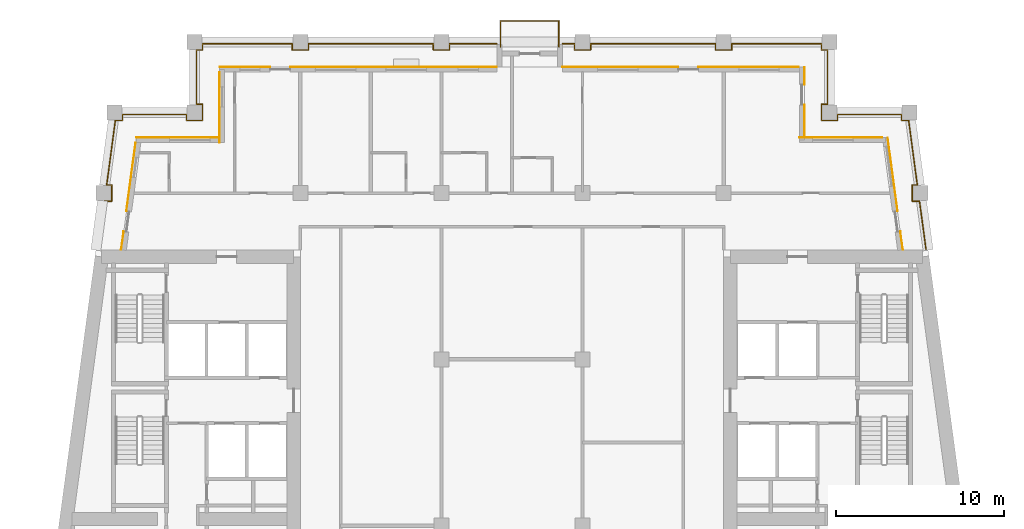
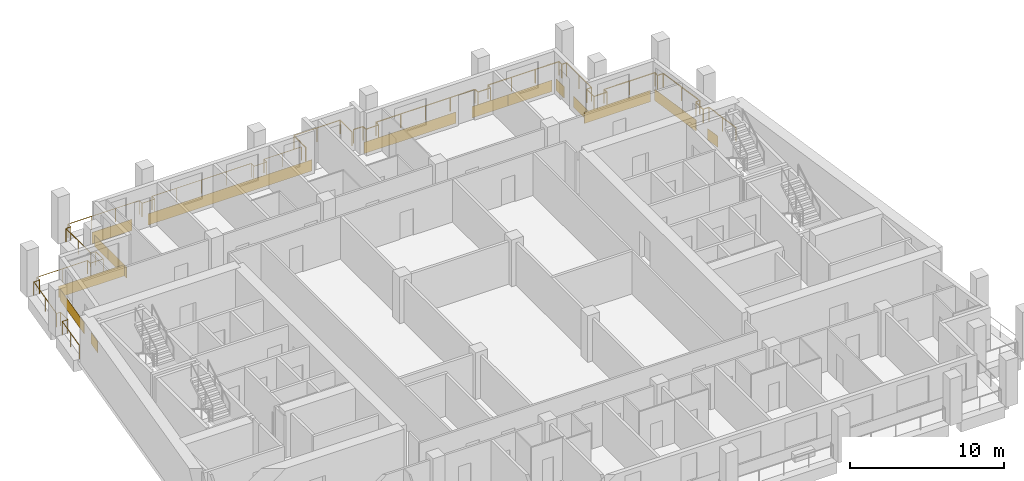
# One storey, part 11 of 12: 15 coverings, 3 railings.
"""IFC4 building model written with IfcOpenShell, lengths in metres."""

from ifc_helpers import new_model, si_unit, direction, frame, origin, origin_2d, place, context, subcontext, project, spatial, rectangle, circle, extrude, material, layer, layer_set, type_object, element, save


model = new_model("IFC4")

# Units and contexts
model_context = context("Model", 3, precision=1e-05, world=origin(), true_north=direction((0.0, 1.0)))
body_context = subcontext(model_context, "Body", "Model", "MODEL_VIEW")
ifc_project = project(units=[si_unit("LENGTHUNIT", "METRE"), si_unit("AREAUNIT", "SQUARE_METRE"), si_unit("VOLUMEUNIT", "CUBIC_METRE"), si_unit("PLANEANGLEUNIT", "RADIAN"), si_unit("MASSUNIT", "GRAM", prefix="KILO")], contexts=[model_context])

# Site, building, storey
site_placement = place(None, origin())
site = spatial("IfcSite", under=ifc_project, at=site_placement, CompositionType="ELEMENT")
building_placement = place(site_placement, origin())
building = spatial("IfcBuilding", under=site, at=building_placement, Name="Candeia Pilgrim Tower and Theatre", CompositionType="ELEMENT")
storey_placement = place(building_placement, frame((0.0, 0.0, 213.300048828125)))
storey = spatial("IfcBuildingStorey", under=building, at=storey_placement, Name="L51", CompositionType="ELEMENT", Elevation=213.300048828125)

# Railings
ifc_material_1 = material(Name="Stainless steel balustrade", Category="steel")
railing_type = type_object("IfcRailingType", Name="G1 loggia guard 1100", PredefinedType="GUARDRAIL", material=ifc_material_1)
railing_1_placement = place(storey_placement, frame((88.758544921875, 132.449951171875, 0.0)))
element("IfcRailing", 1, at=railing_1_placement, inside=storey, type_object=railing_type, Name="Guard L51.2", PredefinedType="GUARDRAIL", context=body_context, shape_type="SweptSolid", body=[
    extrude(circle(Radius=0.02392578125, at=origin_2d()), frame((0.0, 0.0, 1.076171875), z_axis=(0.133450228179, 0.991055516406, 0.0), x_axis=(-0.991055516406, 0.133450228179, 0.0)), (0.0, 0.0, 1.0), 2.89599609375),
    extrude(circle(Radius=0.02392578125, at=origin_2d()), frame((0.386474609375, 2.8701171875, 1.076171875), z_axis=(1.0, 0.0, 0.0), x_axis=(0.0, 1.0, 0.0)), (0.0, 0.0, 1.0), 0.42333984375),
    extrude(circle(Radius=0.02392578125, at=origin_2d()), frame((0.809814453125, 2.8701171875, 1.076171875), z_axis=(0.0, 1.0, 0.0), x_axis=(-1.0, 0.0, 0.0)), (0.0, 0.0, 1.0), 0.9599609375),
    extrude(circle(Radius=0.02392578125, at=origin_2d()), frame((0.809814453125, 3.830078125, 1.076171875), z_axis=(-1.0, 0.0, 0.0), x_axis=(0.0, -1.0, 0.0)), (0.0, 0.0, 1.0), 0.294189453125),
    extrude(circle(Radius=0.02392578125, at=origin_2d()), frame((0.515625, 3.830078125, 1.076171875), z_axis=(0.133389399471, 0.991063705374, 0.0), x_axis=(-0.991063705374, 0.133389399471, 0.0)), (0.0, 0.0, 1.0), 3.874755859375),
    extrude(circle(Radius=0.02392578125, at=origin_2d()), frame((1.032470703125, 7.670166015625, 1.076171875), z_axis=(1.0, 0.0, 0.0), x_axis=(0.0, 1.0, 0.0)), (0.0, 0.0, 1.0), 0.423583984375),
    extrude(circle(Radius=0.02392578125, at=origin_2d()), frame((1.4560546875, 7.670166015625, 1.076171875), z_axis=(0.0, 1.0, 0.0), x_axis=(-1.0, 0.0, 0.0)), (0.0, 0.0, 1.0), 0.35986328125),
    extrude(circle(Radius=0.02392578125, at=origin_2d()), frame((1.4560546875, 8.030029296875, 1.076171875), z_axis=(1.0, 0.0, 0.0), x_axis=(0.0, 1.0, 0.0)), (0.0, 0.0, 1.0), 3.805419921875),
    extrude(circle(Radius=0.02392578125, at=origin_2d()), frame((5.261474609375, 8.030029296875, 1.076171875), z_axis=(0.0, -1.0, 0.0), x_axis=(1.0, 0.0, 0.0)), (0.0, 0.0, 1.0), 0.35986328125),
    extrude(circle(Radius=0.02392578125, at=origin_2d()), frame((5.261474609375, 7.670166015625, 1.076171875), z_axis=(1.0, 0.0, 0.0), x_axis=(0.0, 1.0, 0.0)), (0.0, 0.0, 1.0), 0.9599609375),
    extrude(circle(Radius=0.02392578125, at=origin_2d()), frame((6.221435546875, 7.670166015625, 1.076171875), z_axis=(0.0, 1.0, 0.0), x_axis=(-1.0, 0.0, 0.0)), (0.0, 0.0, 1.0), 0.9599609375),
    extrude(circle(Radius=0.02392578125, at=origin_2d()), frame((6.221435546875, 8.630126953125, 1.076171875), z_axis=(-1.0, 0.0, 0.0), x_axis=(0.0, -1.0, 0.0)), (0.0, 0.0, 1.0), 0.35986328125),
    extrude(circle(Radius=0.02392578125, at=origin_2d()), frame((5.861572265625, 8.630126953125, 1.076171875), z_axis=(0.0, 1.0, 0.0), x_axis=(-1.0, 0.0, 0.0)), (0.0, 0.0, 1.0), 3.239990234375),
    extrude(circle(Radius=0.02392578125, at=origin_2d()), frame((5.861572265625, 11.8701171875, 1.076171875), z_axis=(1.0, 0.0, 0.0), x_axis=(0.0, 1.0, 0.0)), (0.0, 0.0, 1.0), 0.35986328125),
    extrude(circle(Radius=0.02392578125, at=origin_2d()), frame((6.221435546875, 11.8701171875, 1.076171875), z_axis=(0.0, 1.0, 0.0), x_axis=(-1.0, 0.0, 0.0)), (0.0, 0.0, 1.0), 0.35986328125),
    extrude(circle(Radius=0.02392578125, at=origin_2d()), frame((6.221435546875, 12.22998046875, 1.076171875), z_axis=(1.0, 0.0, 0.0), x_axis=(0.0, 1.0, 0.0)), (0.0, 0.0, 1.0), 5.340087890625),
    extrude(circle(Radius=0.02392578125, at=origin_2d()), frame((11.5615234375, 12.22998046875, 1.076171875), z_axis=(0.0, -1.0, 0.0), x_axis=(1.0, 0.0, 0.0)), (0.0, 0.0, 1.0), 0.35986328125),
    extrude(circle(Radius=0.02392578125, at=origin_2d()), frame((11.5615234375, 11.8701171875, 1.076171875), z_axis=(1.0, 0.0, 0.0), x_axis=(0.0, 1.0, 0.0)), (0.0, 0.0, 1.0), 0.9599609375),
    extrude(circle(Radius=0.02392578125, at=origin_2d()), frame((12.521484375, 11.8701171875, 1.076171875), z_axis=(0.0, 1.0, 0.0), x_axis=(-1.0, 0.0, 0.0)), (0.0, 0.0, 1.0), 0.35986328125),
    extrude(circle(Radius=0.02392578125, at=origin_2d()), frame((12.521484375, 12.22998046875, 1.076171875), z_axis=(1.0, 0.0, 0.0), x_axis=(0.0, 1.0, 0.0)), (0.0, 0.0, 1.0), 7.43994140625),
    extrude(circle(Radius=0.02392578125, at=origin_2d()), frame((19.96142578125, 12.22998046875, 1.076171875), z_axis=(0.0, -1.0, 0.0), x_axis=(1.0, 0.0, 0.0)), (0.0, 0.0, 1.0), 0.35986328125),
    extrude(circle(Radius=0.02392578125, at=origin_2d()), frame((19.96142578125, 11.8701171875, 1.076171875), z_axis=(1.0, 0.0, 0.0), x_axis=(0.0, 1.0, 0.0)), (0.0, 0.0, 1.0), 0.9599609375),
    extrude(circle(Radius=0.02392578125, at=origin_2d()), frame((20.92138671875, 11.8701171875, 1.076171875), z_axis=(0.0, 1.0, 0.0), x_axis=(-1.0, 0.0, 0.0)), (0.0, 0.0, 1.0), 0.35986328125),
    extrude(circle(Radius=0.02392578125, at=origin_2d()), frame((20.92138671875, 12.22998046875, 1.076171875), z_axis=(1.0, 0.0, 0.0), x_axis=(0.0, 1.0, 0.0)), (0.0, 0.0, 1.0), 2.820068359375),
    extrude(circle(Radius=0.02099609375, at=origin_2d()), origin(), (0.0, 0.0, 1.0), 1.052001953125),
    extrude(circle(Radius=0.02099609375, at=origin_2d()), frame((0.193359375, 1.43505859375, 0.0)), (0.0, 0.0, 1.0), 1.052001953125),
    extrude(circle(Radius=0.02099609375, at=origin_2d()), frame((0.386474609375, 2.8701171875, 0.0)), (0.0, 0.0, 1.0), 1.052001953125),
    extrude(circle(Radius=0.02099609375, at=origin_2d()), frame((0.809814453125, 2.8701171875, 0.0)), (0.0, 0.0, 1.0), 1.052001953125),
    extrude(circle(Radius=0.02099609375, at=origin_2d()), frame((0.809814453125, 3.830078125, 0.0)), (0.0, 0.0, 1.0), 1.052001953125),
    extrude(circle(Radius=0.02099609375, at=origin_2d()), frame((0.515625, 3.830078125, 0.0)), (0.0, 0.0, 1.0), 1.052001953125),
    extrude(circle(Radius=0.02099609375, at=origin_2d()), frame((0.77392578125, 5.75, 0.0)), (0.0, 0.0, 1.0), 1.052001953125),
    extrude(circle(Radius=0.02099609375, at=origin_2d()), frame((1.032470703125, 7.670166015625, 0.0)), (0.0, 0.0, 1.0), 1.052001953125),
    extrude(circle(Radius=0.02099609375, at=origin_2d()), frame((1.4560546875, 7.670166015625, 0.0)), (0.0, 0.0, 1.0), 1.052001953125),
    extrude(circle(Radius=0.02099609375, at=origin_2d()), frame((1.4560546875, 8.030029296875, 0.0)), (0.0, 0.0, 1.0), 1.052001953125),
    extrude(circle(Radius=0.02099609375, at=origin_2d()), frame((3.35888671875, 8.030029296875, 0.0)), (0.0, 0.0, 1.0), 1.052001953125),
    extrude(circle(Radius=0.02099609375, at=origin_2d()), frame((5.261474609375, 8.030029296875, 0.0)), (0.0, 0.0, 1.0), 1.052001953125),
    extrude(circle(Radius=0.02099609375, at=origin_2d()), frame((5.261474609375, 7.670166015625, 0.0)), (0.0, 0.0, 1.0), 1.052001953125),
    extrude(circle(Radius=0.02099609375, at=origin_2d()), frame((6.221435546875, 7.670166015625, 0.0)), (0.0, 0.0, 1.0), 1.052001953125),
    extrude(circle(Radius=0.02099609375, at=origin_2d()), frame((6.221435546875, 8.630126953125, 0.0)), (0.0, 0.0, 1.0), 1.052001953125),
    extrude(circle(Radius=0.02099609375, at=origin_2d()), frame((5.861572265625, 8.630126953125, 0.0)), (0.0, 0.0, 1.0), 1.052001953125),
    extrude(circle(Radius=0.02099609375, at=origin_2d()), frame((5.861572265625, 10.25, 0.0)), (0.0, 0.0, 1.0), 1.052001953125),
    extrude(circle(Radius=0.02099609375, at=origin_2d()), frame((5.861572265625, 11.8701171875, 0.0)), (0.0, 0.0, 1.0), 1.052001953125),
    extrude(circle(Radius=0.02099609375, at=origin_2d()), frame((6.221435546875, 11.8701171875, 0.0)), (0.0, 0.0, 1.0), 1.052001953125),
    extrude(circle(Radius=0.02099609375, at=origin_2d()), frame((6.221435546875, 12.22998046875, 0.0)), (0.0, 0.0, 1.0), 1.052001953125),
    extrude(circle(Radius=0.02099609375, at=origin_2d()), frame((8.00146484375, 12.22998046875, 0.0)), (0.0, 0.0, 1.0), 1.052001953125),
    extrude(circle(Radius=0.02099609375, at=origin_2d()), frame((9.781494140625, 12.22998046875, 0.0)), (0.0, 0.0, 1.0), 1.052001953125),
    extrude(circle(Radius=0.02099609375, at=origin_2d()), frame((11.5615234375, 12.22998046875, 0.0)), (0.0, 0.0, 1.0), 1.052001953125),
    extrude(circle(Radius=0.02099609375, at=origin_2d()), frame((11.5615234375, 11.8701171875, 0.0)), (0.0, 0.0, 1.0), 1.052001953125),
    extrude(circle(Radius=0.02099609375, at=origin_2d()), frame((12.521484375, 11.8701171875, 0.0)), (0.0, 0.0, 1.0), 1.052001953125),
    extrude(circle(Radius=0.02099609375, at=origin_2d()), frame((12.521484375, 12.22998046875, 0.0)), (0.0, 0.0, 1.0), 1.052001953125),
    extrude(circle(Radius=0.02099609375, at=origin_2d()), frame((14.38134765625, 12.22998046875, 0.0)), (0.0, 0.0, 1.0), 1.052001953125),
    extrude(circle(Radius=0.02099609375, at=origin_2d()), frame((16.241455078125, 12.22998046875, 0.0)), (0.0, 0.0, 1.0), 1.052001953125),
    extrude(circle(Radius=0.02099609375, at=origin_2d()), frame((18.1015625, 12.22998046875, 0.0)), (0.0, 0.0, 1.0), 1.052001953125),
    extrude(circle(Radius=0.02099609375, at=origin_2d()), frame((19.96142578125, 12.22998046875, 0.0)), (0.0, 0.0, 1.0), 1.052001953125),
    extrude(circle(Radius=0.02099609375, at=origin_2d()), frame((19.96142578125, 11.8701171875, 0.0)), (0.0, 0.0, 1.0), 1.052001953125),
    extrude(circle(Radius=0.02099609375, at=origin_2d()), frame((20.92138671875, 11.8701171875, 0.0)), (0.0, 0.0, 1.0), 1.052001953125),
    extrude(circle(Radius=0.02099609375, at=origin_2d()), frame((20.92138671875, 12.22998046875, 0.0)), (0.0, 0.0, 1.0), 1.052001953125),
    extrude(circle(Radius=0.02099609375, at=origin_2d()), frame((22.33154296875, 12.22998046875, 0.0)), (0.0, 0.0, 1.0), 1.052001953125),
    extrude(circle(Radius=0.02099609375, at=origin_2d()), frame((23.741455078125, 12.22998046875, 0.0)), (0.0, 0.0, 1.0), 1.052001953125),
])
railing_2_placement = place(storey_placement, frame((116.39990234375, 144.679931640625, 0.0)))
element("IfcRailing", 2, at=railing_2_placement, inside=storey, type_object=railing_type, Name="Guard L51.3", PredefinedType="GUARDRAIL", context=body_context, shape_type="SweptSolid", body=[
    extrude(circle(Radius=0.02392578125, at=origin_2d()), frame((0.0, 0.0, 1.076171875), z_axis=(1.0, 0.0, 0.0), x_axis=(0.0, 1.0, 0.0)), (0.0, 0.0, 1.0), 0.72021484375),
    extrude(circle(Radius=0.02392578125, at=origin_2d()), frame((0.72021484375, 0.0, 1.076171875), z_axis=(0.0, -1.0, 0.0), x_axis=(1.0, 0.0, 0.0)), (0.0, 0.0, 1.0), 0.35986328125),
    extrude(circle(Radius=0.02392578125, at=origin_2d()), frame((0.72021484375, -0.35986328125, 1.076171875), z_axis=(1.0, 0.0, 0.0), x_axis=(0.0, 1.0, 0.0)), (0.0, 0.0, 1.0), 0.9599609375),
    extrude(circle(Radius=0.02392578125, at=origin_2d()), frame((1.68017578125, -0.35986328125, 1.076171875), z_axis=(0.0, 1.0, 0.0), x_axis=(-1.0, 0.0, 0.0)), (0.0, 0.0, 1.0), 0.35986328125),
    extrude(circle(Radius=0.02392578125, at=origin_2d()), frame((1.68017578125, 0.0, 1.076171875), z_axis=(1.0, 0.0, 0.0), x_axis=(0.0, 1.0, 0.0)), (0.0, 0.0, 1.0), 7.43994140625),
    extrude(circle(Radius=0.02392578125, at=origin_2d()), frame((9.1201171875, 0.0, 1.076171875), z_axis=(0.0, -1.0, 0.0), x_axis=(1.0, 0.0, 0.0)), (0.0, 0.0, 1.0), 0.35986328125),
    extrude(circle(Radius=0.02392578125, at=origin_2d()), frame((9.1201171875, -0.35986328125, 1.076171875), z_axis=(1.0, 0.0, 0.0), x_axis=(0.0, 1.0, 0.0)), (0.0, 0.0, 1.0), 0.9599609375),
    extrude(circle(Radius=0.02392578125, at=origin_2d()), frame((10.080078125, -0.35986328125, 1.076171875), z_axis=(0.0, 1.0, 0.0), x_axis=(-1.0, 0.0, 0.0)), (0.0, 0.0, 1.0), 0.35986328125),
    extrude(circle(Radius=0.02392578125, at=origin_2d()), frame((10.080078125, 0.0, 1.076171875), z_axis=(1.0, 0.0, 0.0), x_axis=(0.0, 1.0, 0.0)), (0.0, 0.0, 1.0), 5.340087890625),
    extrude(circle(Radius=0.02392578125, at=origin_2d()), frame((15.420166015625, 0.0, 1.076171875), z_axis=(0.0, -1.0, 0.0), x_axis=(1.0, 0.0, 0.0)), (0.0, 0.0, 1.0), 0.35986328125),
    extrude(circle(Radius=0.02392578125, at=origin_2d()), frame((15.420166015625, -0.35986328125, 1.076171875), z_axis=(1.0, 0.0, 0.0), x_axis=(0.0, 1.0, 0.0)), (0.0, 0.0, 1.0), 0.35986328125),
    extrude(circle(Radius=0.02392578125, at=origin_2d()), frame((15.780029296875, -0.35986328125, 1.076171875), z_axis=(0.0, -1.0, 0.0), x_axis=(1.0, 0.0, 0.0)), (0.0, 0.0, 1.0), 3.239990234375),
    extrude(circle(Radius=0.02392578125, at=origin_2d()), frame((15.780029296875, -3.599853515625, 1.076171875), z_axis=(-1.0, 0.0, 0.0), x_axis=(0.0, -1.0, 0.0)), (0.0, 0.0, 1.0), 0.35986328125),
    extrude(circle(Radius=0.02392578125, at=origin_2d()), frame((15.420166015625, -3.599853515625, 1.076171875), z_axis=(0.0, -1.0, 0.0), x_axis=(1.0, 0.0, 0.0)), (0.0, 0.0, 1.0), 0.9599609375),
    extrude(circle(Radius=0.02392578125, at=origin_2d()), frame((15.420166015625, -4.559814453125, 1.076171875), z_axis=(1.0, 0.0, 0.0), x_axis=(0.0, 1.0, 0.0)), (0.0, 0.0, 1.0), 0.9599609375),
    extrude(circle(Radius=0.02392578125, at=origin_2d()), frame((16.380126953125, -4.559814453125, 1.076171875), z_axis=(0.0, 1.0, 0.0), x_axis=(-1.0, 0.0, 0.0)), (0.0, 0.0, 1.0), 0.35986328125),
    extrude(circle(Radius=0.02392578125, at=origin_2d()), frame((16.380126953125, -4.199951171875, 1.076171875), z_axis=(1.0, 0.0, 0.0), x_axis=(0.0, 1.0, 0.0)), (0.0, 0.0, 1.0), 3.805419921875),
    extrude(circle(Radius=0.02392578125, at=origin_2d()), frame((20.185546875, -4.199951171875, 1.076171875), z_axis=(0.0, -1.0, 0.0), x_axis=(1.0, 0.0, 0.0)), (0.0, 0.0, 1.0), 0.35986328125),
    extrude(circle(Radius=0.02392578125, at=origin_2d()), frame((20.185546875, -4.559814453125, 1.076171875), z_axis=(1.0, 0.0, 0.0), x_axis=(0.0, 1.0, 0.0)), (0.0, 0.0, 1.0), 0.423583984375),
    extrude(circle(Radius=0.02392578125, at=origin_2d()), frame((20.609130859375, -4.559814453125, 1.076171875), z_axis=(0.133389399471, -0.991063705374, 0.0), x_axis=(0.991063705374, 0.133389399471, 0.0)), (0.0, 0.0, 1.0), 3.874755859375),
    extrude(circle(Radius=0.02392578125, at=origin_2d()), frame((21.1259765625, -8.39990234375, 1.076171875), z_axis=(-1.0, 0.0, 0.0), x_axis=(0.0, -1.0, 0.0)), (0.0, 0.0, 1.0), 0.29443359375),
    extrude(circle(Radius=0.02392578125, at=origin_2d()), frame((20.83154296875, -8.39990234375, 1.076171875), z_axis=(0.0, -1.0, 0.0), x_axis=(1.0, 0.0, 0.0)), (0.0, 0.0, 1.0), 0.9599609375),
    extrude(circle(Radius=0.02392578125, at=origin_2d()), frame((20.83154296875, -9.35986328125, 1.076171875), z_axis=(1.0, 0.0, 0.0), x_axis=(0.0, 1.0, 0.0)), (0.0, 0.0, 1.0), 0.423583984375),
    extrude(circle(Radius=0.02392578125, at=origin_2d()), frame((21.255126953125, -9.35986328125, 1.076171875), z_axis=(0.133450228179, -0.991055516406, 0.0), x_axis=(0.991055516406, 0.133450228179, 0.0)), (0.0, 0.0, 1.0), 2.89599609375),
    extrude(circle(Radius=0.02099609375, at=origin_2d()), origin(), (0.0, 0.0, 1.0), 1.052001953125),
    extrude(circle(Radius=0.02099609375, at=origin_2d()), frame((0.72021484375, 0.0, 0.0)), (0.0, 0.0, 1.0), 1.052001953125),
    extrude(circle(Radius=0.02099609375, at=origin_2d()), frame((0.72021484375, -0.35986328125, 0.0)), (0.0, 0.0, 1.0), 1.052001953125),
    extrude(circle(Radius=0.02099609375, at=origin_2d()), frame((1.68017578125, -0.35986328125, 0.0)), (0.0, 0.0, 1.0), 1.052001953125),
    extrude(circle(Radius=0.02099609375, at=origin_2d()), frame((1.68017578125, 0.0, 0.0)), (0.0, 0.0, 1.0), 1.052001953125),
    extrude(circle(Radius=0.02099609375, at=origin_2d()), frame((3.5400390625, 0.0, 0.0)), (0.0, 0.0, 1.0), 1.052001953125),
    extrude(circle(Radius=0.02099609375, at=origin_2d()), frame((5.400146484375, 0.0, 0.0)), (0.0, 0.0, 1.0), 1.052001953125),
    extrude(circle(Radius=0.02099609375, at=origin_2d()), frame((7.26025390625, 0.0, 0.0)), (0.0, 0.0, 1.0), 1.052001953125),
    extrude(circle(Radius=0.02099609375, at=origin_2d()), frame((9.1201171875, 0.0, 0.0)), (0.0, 0.0, 1.0), 1.052001953125),
    extrude(circle(Radius=0.02099609375, at=origin_2d()), frame((9.1201171875, -0.35986328125, 0.0)), (0.0, 0.0, 1.0), 1.052001953125),
    extrude(circle(Radius=0.02099609375, at=origin_2d()), frame((10.080078125, -0.35986328125, 0.0)), (0.0, 0.0, 1.0), 1.052001953125),
    extrude(circle(Radius=0.02099609375, at=origin_2d()), frame((10.080078125, 0.0, 0.0)), (0.0, 0.0, 1.0), 1.052001953125),
    extrude(circle(Radius=0.02099609375, at=origin_2d()), frame((11.860107421875, 0.0, 0.0)), (0.0, 0.0, 1.0), 1.052001953125),
    extrude(circle(Radius=0.02099609375, at=origin_2d()), frame((13.64013671875, 0.0, 0.0)), (0.0, 0.0, 1.0), 1.052001953125),
    extrude(circle(Radius=0.02099609375, at=origin_2d()), frame((15.420166015625, 0.0, 0.0)), (0.0, 0.0, 1.0), 1.052001953125),
    extrude(circle(Radius=0.02099609375, at=origin_2d()), frame((15.420166015625, -0.35986328125, 0.0)), (0.0, 0.0, 1.0), 1.052001953125),
    extrude(circle(Radius=0.02099609375, at=origin_2d()), frame((15.780029296875, -0.35986328125, 0.0)), (0.0, 0.0, 1.0), 1.052001953125),
    extrude(circle(Radius=0.02099609375, at=origin_2d()), frame((15.780029296875, -1.97998046875, 0.0)), (0.0, 0.0, 1.0), 1.052001953125),
    extrude(circle(Radius=0.02099609375, at=origin_2d()), frame((15.780029296875, -3.599853515625, 0.0)), (0.0, 0.0, 1.0), 1.052001953125),
    extrude(circle(Radius=0.02099609375, at=origin_2d()), frame((15.420166015625, -3.599853515625, 0.0)), (0.0, 0.0, 1.0), 1.052001953125),
    extrude(circle(Radius=0.02099609375, at=origin_2d()), frame((15.420166015625, -4.559814453125, 0.0)), (0.0, 0.0, 1.0), 1.052001953125),
    extrude(circle(Radius=0.02099609375, at=origin_2d()), frame((16.380126953125, -4.559814453125, 0.0)), (0.0, 0.0, 1.0), 1.052001953125),
    extrude(circle(Radius=0.02099609375, at=origin_2d()), frame((16.380126953125, -4.199951171875, 0.0)), (0.0, 0.0, 1.0), 1.052001953125),
    extrude(circle(Radius=0.02099609375, at=origin_2d()), frame((18.28271484375, -4.199951171875, 0.0)), (0.0, 0.0, 1.0), 1.052001953125),
    extrude(circle(Radius=0.02099609375, at=origin_2d()), frame((20.185546875, -4.199951171875, 0.0)), (0.0, 0.0, 1.0), 1.052001953125),
    extrude(circle(Radius=0.02099609375, at=origin_2d()), frame((20.185546875, -4.559814453125, 0.0)), (0.0, 0.0, 1.0), 1.052001953125),
    extrude(circle(Radius=0.02099609375, at=origin_2d()), frame((20.609130859375, -4.559814453125, 0.0)), (0.0, 0.0, 1.0), 1.052001953125),
    extrude(circle(Radius=0.02099609375, at=origin_2d()), frame((20.86767578125, -6.47998046875, 0.0)), (0.0, 0.0, 1.0), 1.052001953125),
    extrude(circle(Radius=0.02099609375, at=origin_2d()), frame((21.1259765625, -8.39990234375, 0.0)), (0.0, 0.0, 1.0), 1.052001953125),
    extrude(circle(Radius=0.02099609375, at=origin_2d()), frame((20.83154296875, -8.39990234375, 0.0)), (0.0, 0.0, 1.0), 1.052001953125),
    extrude(circle(Radius=0.02099609375, at=origin_2d()), frame((20.83154296875, -9.35986328125, 0.0)), (0.0, 0.0, 1.0), 1.052001953125),
    extrude(circle(Radius=0.02099609375, at=origin_2d()), frame((21.255126953125, -9.35986328125, 0.0)), (0.0, 0.0, 1.0), 1.052001953125),
    extrude(circle(Radius=0.02099609375, at=origin_2d()), frame((21.4482421875, -10.794921875, 0.0)), (0.0, 0.0, 1.0), 1.052001953125),
    extrude(circle(Radius=0.02099609375, at=origin_2d()), frame((21.6416015625, -12.22998046875, 0.0)), (0.0, 0.0, 1.0), 1.052001953125),
])
railing_3_placement = place(storey_placement, frame((112.7099609375, 144.5, 0.0)))
element("IfcRailing", 3, at=railing_3_placement, inside=storey, type_object=railing_type, Name="Balcony guard L51", PredefinedType="GUARDRAIL", context=body_context, shape_type="SweptSolid", body=[
    extrude(circle(Radius=0.02392578125, at=origin_2d()), frame((0.0, 0.0, 1.076171875), z_axis=(0.0, 1.0, 0.0), x_axis=(-1.0, 0.0, 0.0)), (0.0, 0.0, 1.0), 1.5400390625),
    extrude(circle(Radius=0.02392578125, at=origin_2d()), frame((0.0, 1.5400390625, 1.076171875), z_axis=(1.0, 0.0, 0.0), x_axis=(0.0, 1.0, 0.0)), (0.0, 0.0, 1.0), 3.47998046875),
    extrude(circle(Radius=0.02392578125, at=origin_2d()), frame((3.47998046875, 1.5400390625, 1.076171875), z_axis=(0.0, -1.0, 0.0), x_axis=(1.0, 0.0, 0.0)), (0.0, 0.0, 1.0), 1.5400390625),
    extrude(circle(Radius=0.02099609375, at=origin_2d()), origin(), (0.0, 0.0, 1.0), 1.052001953125),
    extrude(circle(Radius=0.02099609375, at=origin_2d()), frame((0.0, 1.5400390625, 0.0)), (0.0, 0.0, 1.0), 1.052001953125),
    extrude(circle(Radius=0.02099609375, at=origin_2d()), frame((1.739990234375, 1.5400390625, 0.0)), (0.0, 0.0, 1.0), 1.052001953125),
    extrude(circle(Radius=0.02099609375, at=origin_2d()), frame((3.47998046875, 1.5400390625, 0.0)), (0.0, 0.0, 1.0), 1.052001953125),
    extrude(circle(Radius=0.02099609375, at=origin_2d()), frame((3.47998046875, 0.0, 0.0)), (0.0, 0.0, 1.0), 1.052001953125),
])

# Coverings
ifc_material_2 = material(Name="Glazed ceramic tile bottle green")
ifc_layer_1 = layer(ifc_material_2, 0.02001953125)
ifc_layer_set_1 = layer_set([ifc_layer_1], Name="Glazed ceramic tile bottle green")
covering_type_1 = type_object("IfcCoveringType", Name="Glazed ceramic tile bottle green", PredefinedType="CLADDING", material=ifc_layer_set_1)
covering_1_placement = place(storey_placement, frame((136.588623046875, 132.97412109375, 0.0), z_axis=(0.0, 0.0, 1.0), x_axis=(-0.133412012145, 0.991060661622, 0.0)))
element("IfcCovering", 4, at=covering_1_placement, inside=storey, type_object=covering_type_1, Name="Tile cladding bottle green L51", PredefinedType="CLADDING", context=body_context, shape_type="SweptSolid", body=[
    extrude(rectangle(XDim=1.115234375, YDim=0.02001953125, at=origin_2d()), origin(), (0.0, 0.0, 1.0), 0.89990234375),
])
covering_2_placement = place(storey_placement, frame((136.058837890625, 136.90869140625, 0.0), z_axis=(0.0, 0.0, 1.0), x_axis=(-0.133412012145, 0.991060661622, 0.0)))
element("IfcCovering", 5, at=covering_2_placement, inside=storey, type_object=covering_type_1, Name="Tile cladding bottle green L51", PredefinedType="CLADDING", context=body_context, shape_type="SweptSolid", body=[
    extrude(rectangle(XDim=4.4248046875, YDim=0.02001953125, at=origin_2d()), origin(), (0.0, 0.0, 1.0), 0.89990234375),
])
covering_3_placement = place(storey_placement, frame((130.81005859375, 140.0849609375, 0.0), z_axis=(0.0, 0.0, 1.0), x_axis=(0.0, 1.0, 0.0)))
element("IfcCovering", 6, at=covering_3_placement, inside=storey, type_object=covering_type_1, Name="Tile cladding bottle green L51", PredefinedType="CLADDING", context=body_context, shape_type="SweptSolid", body=[
    extrude(rectangle(XDim=1.929931640625, YDim=0.02001953125, at=origin_2d()), origin(), (0.0, 0.0, 1.0), 0.89990234375),
])
covering_4_placement = place(storey_placement, frame((125.85009765625, 143.31005859375, 0.0), z_axis=(0.0, 0.0, 1.0), x_axis=(-1.0, 0.0, 0.0)))
element("IfcCovering", 7, at=covering_4_placement, inside=storey, type_object=covering_type_1, Name="Tile cladding bottle green L51", PredefinedType="CLADDING", context=body_context, shape_type="SweptSolid", body=[
    extrude(rectangle(XDim=2.699951171875, YDim=0.02001953125, at=origin_2d()), origin(), (0.0, 0.0, 1.0), 0.89990234375),
])
covering_5_placement = place(storey_placement, frame((119.85009765625, 143.31005859375, 0.0), z_axis=(0.0, 0.0, 1.0), x_axis=(-1.0, 0.0, 0.0)))
element("IfcCovering", 8, at=covering_5_placement, inside=storey, type_object=covering_type_1, Name="Tile cladding bottle green L51", PredefinedType="CLADDING", context=body_context, shape_type="SweptSolid", body=[
    extrude(rectangle(XDim=6.89990234375, YDim=0.02001953125, at=origin_2d()), origin(), (0.0, 0.0, 1.0), 0.89990234375),
])
covering_6_placement = place(storey_placement, frame((106.35009765625, 143.31005859375, 0.0), z_axis=(0.0, 0.0, 1.0), x_axis=(-1.0, 0.0, 0.0)))
element("IfcCovering", 9, at=covering_6_placement, inside=storey, type_object=covering_type_1, Name="Tile cladding bottle green L51", PredefinedType="CLADDING", context=body_context, shape_type="SweptSolid", body=[
    extrude(rectangle(XDim=12.300048828125, YDim=0.02001953125, at=origin_2d()), origin(), (0.0, 0.0, 1.0), 0.89990234375),
])
covering_7_placement = place(storey_placement, frame((97.5, 143.31005859375, 0.0), z_axis=(0.0, 0.0, 1.0), x_axis=(-1.0, 0.0, 0.0)))
element("IfcCovering", 10, at=covering_7_placement, inside=storey, type_object=covering_type_1, Name="Tile cladding bottle green L51", PredefinedType="CLADDING", context=body_context, shape_type="SweptSolid", body=[
    extrude(rectangle(XDim=3.0, YDim=0.02001953125, at=origin_2d()), origin(), (0.0, 0.0, 1.0), 0.89990234375),
])
covering_8_placement = place(storey_placement, frame((95.989990234375, 140.0, 0.0), z_axis=(0.0, 0.0, 1.0), x_axis=(0.0, -1.0, 0.0)))
element("IfcCovering", 11, at=covering_8_placement, inside=storey, type_object=covering_type_1, Name="Tile cladding bottle green L51", PredefinedType="CLADDING", context=body_context, shape_type="SweptSolid", body=[
    extrude(rectangle(XDim=2.39990234375, YDim=0.02001953125, at=origin_2d()), origin(), (0.0, 0.0, 1.0), 0.89990234375),
])
covering_9_placement = place(storey_placement, frame((93.51318359375, 139.110107421875, 0.0), z_axis=(0.0, 0.0, 1.0), x_axis=(-1.0, 0.0, 0.0)))
element("IfcCovering", 12, at=covering_9_placement, inside=storey, type_object=covering_type_1, Name="Tile cladding bottle green L51", PredefinedType="CLADDING", context=body_context, shape_type="SweptSolid", body=[
    extrude(rectangle(XDim=4.933837890625, YDim=0.02001953125, at=origin_2d()), origin(), (0.0, 0.0, 1.0), 0.89990234375),
])
covering_10_placement = place(storey_placement, frame((90.720947265625, 136.759521484375, 0.0), z_axis=(0.0, 0.0, 1.0), x_axis=(-0.133412012145, -0.991060661622, 0.0)))
element("IfcCovering", 13, at=covering_10_placement, inside=storey, type_object=covering_type_1, Name="Tile cladding bottle green L51", PredefinedType="CLADDING", context=body_context, shape_type="SweptSolid", body=[
    extrude(rectangle(XDim=4.123779296875, YDim=0.02001953125, at=origin_2d()), origin(), (0.0, 0.0, 1.0), 0.89990234375),
])
covering_11_placement = place(storey_placement, frame((90.21142578125, 132.97412109375, 0.0), z_axis=(0.0, 0.0, 1.0), x_axis=(-0.133412012145, -0.991060661622, 0.0)))
element("IfcCovering", 14, at=covering_11_placement, inside=storey, type_object=covering_type_1, Name="Tile cladding bottle green L51", PredefinedType="CLADDING", context=body_context, shape_type="SweptSolid", body=[
    extrude(rectangle(XDim=1.115234375, YDim=0.02001953125, at=origin_2d()), origin(), (0.0, 0.0, 1.0), 0.89990234375),
])
ifc_material_3 = material(Name="Glazed ceramic tile rust")
ifc_layer_2 = layer(ifc_material_3, 0.02001953125)
ifc_layer_set_2 = layer_set([ifc_layer_2], Name="Glazed ceramic tile rust")
covering_type_2 = type_object("IfcCoveringType", Name="Glazed ceramic tile rust", PredefinedType="CLADDING", material=ifc_layer_set_2)
covering_12_placement = place(storey_placement, frame((132.976318359375, 139.110107421875, 0.0), z_axis=(0.0, 0.0, 1.0), x_axis=(-1.0, 0.0, 0.0)))
element("IfcCovering", 15, at=covering_12_placement, inside=storey, type_object=covering_type_2, Name="Tile cladding rust L51", PredefinedType="CLADDING", context=body_context, shape_type="SweptSolid", body=[
    extrude(rectangle(XDim=4.95263671875, YDim=0.02001953125, at=origin_2d()), origin(), (0.0, 0.0, 1.0), 0.89990234375),
])
covering_13_placement = place(storey_placement, frame((130.81005859375, 142.77490234375, 0.0), z_axis=(0.0, 0.0, 1.0), x_axis=(0.0, 1.0, 0.0)))
element("IfcCovering", 16, at=covering_13_placement, inside=storey, type_object=covering_type_2, Name="Tile cladding rust L51", PredefinedType="CLADDING", context=body_context, shape_type="SweptSolid", body=[
    extrude(rectangle(XDim=1.050048828125, YDim=0.02001953125, at=origin_2d()), origin(), (0.0, 0.0, 1.0), 0.89990234375),
])
covering_14_placement = place(storey_placement, frame((128.840087890625, 143.31005859375, 0.0), z_axis=(0.0, 0.0, 1.0), x_axis=(-1.0, 0.0, 0.0)))
element("IfcCovering", 17, at=covering_14_placement, inside=storey, type_object=covering_type_2, Name="Tile cladding rust L51", PredefinedType="CLADDING", context=body_context, shape_type="SweptSolid", body=[
    extrude(rectangle(XDim=3.280029296875, YDim=0.02001953125, at=origin_2d()), origin(), (0.0, 0.0, 1.0), 0.89990234375),
])
covering_15_placement = place(storey_placement, frame((95.989990234375, 142.090087890625, 0.0), z_axis=(0.0, 0.0, 1.0), x_axis=(0.0, -1.0, 0.0)))
element("IfcCovering", 18, at=covering_15_placement, inside=storey, type_object=covering_type_2, Name="Tile cladding rust L51", PredefinedType="CLADDING", context=body_context, shape_type="SweptSolid", body=[
    extrude(rectangle(XDim=1.780029296875, YDim=0.02001953125, at=origin_2d()), origin(), (0.0, 0.0, 1.0), 0.89990234375),
])

save(model, "model.ifc")
